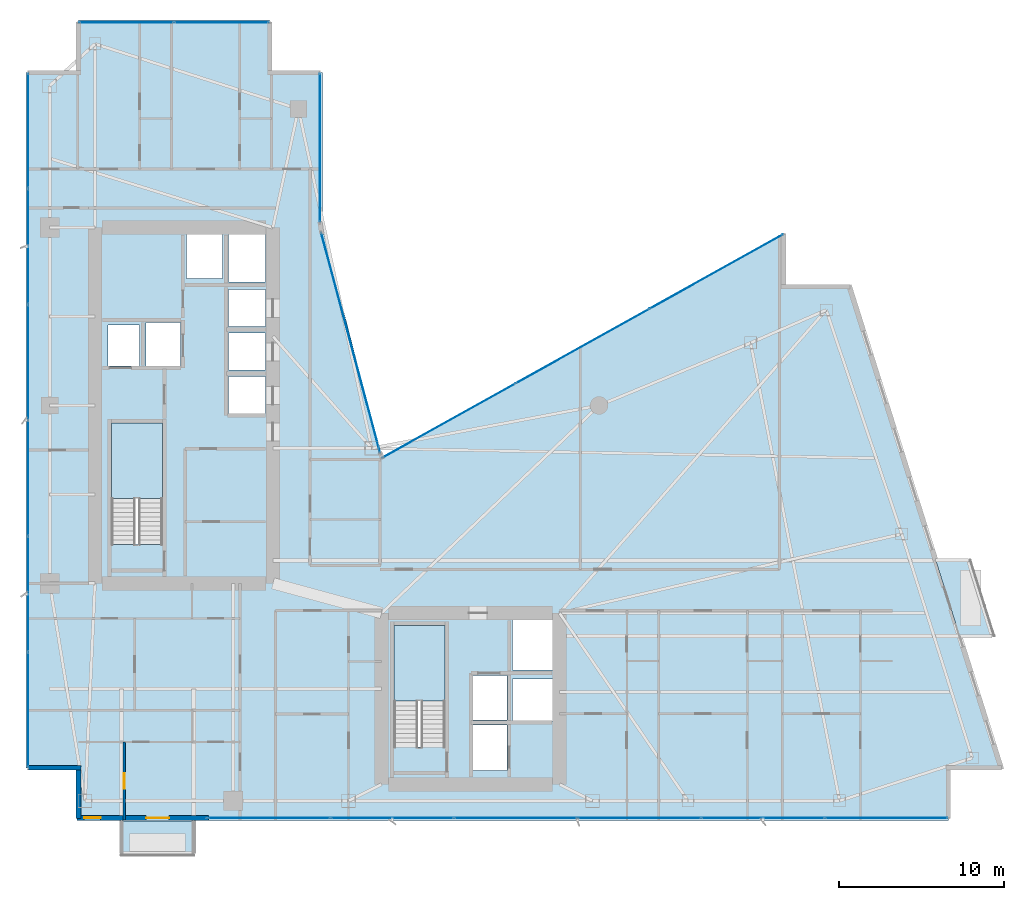
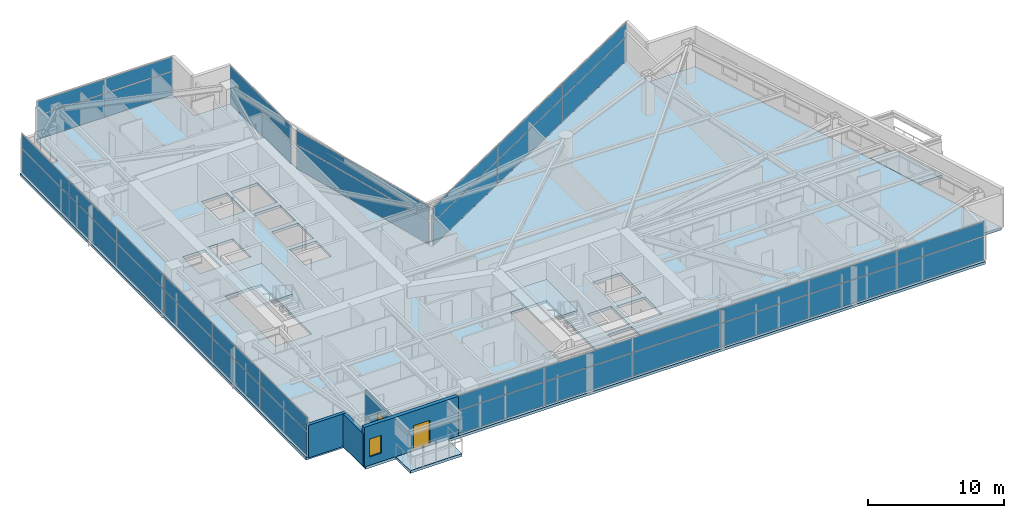
# One storey, part 21 of 28: 38 plates, 5 slabs, 4 walls, 2 doors, 1 window, 3 openings, 8 elements without a shape of their own.
"""IFC4 building model written with IfcOpenShell, lengths in metres."""

from ifc_helpers import new_model, si_unit, direction, frame, frame_2d, origin, origin_2d, place, context, subcontext, project, spatial, polyline, rectangle, outline, extrude, material, layer, layer_set, type_object, element, fill, aggregate, save


model = new_model("IFC4")

# Units and contexts
model_context = context("Model", 3, precision=1e-05, world=origin(), true_north=direction((0.0, 1.0)))
body_context = subcontext(model_context, "Body", "Model", "MODEL_VIEW")
ifc_project = project(units=[si_unit("LENGTHUNIT", "METRE"), si_unit("AREAUNIT", "SQUARE_METRE"), si_unit("VOLUMEUNIT", "CUBIC_METRE"), si_unit("PLANEANGLEUNIT", "RADIAN"), si_unit("MASSUNIT", "GRAM", prefix="KILO")], contexts=[model_context])

# Site, building, storey
site_placement = place(None, origin())
site = spatial("IfcSite", under=ifc_project, at=site_placement, CompositionType="ELEMENT")
building_placement = place(site_placement, origin())
building = spatial("IfcBuilding", under=site, at=building_placement, Name="Calvorn Quay Hotel", CompositionType="ELEMENT")
storey_placement = place(building_placement, frame((0.0, 0.0, 152.300048828125)))
storey = spatial("IfcBuildingStorey", under=building, at=storey_placement, Name="L37", CompositionType="ELEMENT", Elevation=152.300048828125)

# Curtain wall, plates
ifc_material_1 = material(Name="Pale Anodised Aluminium and Low-E Glass", Category="aluminium")
ifc_layer_1 = layer(ifc_material_1, 0.219970703125)
ifc_layer_set_1 = layer_set([ifc_layer_1], Name="CW-SYS-Z2")
curtain_wall_type = type_object("IfcCurtainWallType", Name="CW-SYS-Z2", PredefinedType="NOTDEFINED", material=ifc_layer_set_1)
curtain_wall_1_placement = place(storey_placement, origin())
curtain_wall_1 = element("IfcCurtainWall", 1, at=curtain_wall_1_placement, inside=storey, type_object=curtain_wall_type, Name="Tower West Curtain Wall (L37)", PredefinedType="NOTDEFINED")
ifc_material_2 = material(Name="Low-E Laminated Double Glazing", Category="glass")
ifc_layer_2 = layer(ifc_material_2, 0.028076171875)
ifc_layer_set_2 = layer_set([ifc_layer_2], Name="CW-SYS-Z2-PAN")
plate_type = type_object("IfcPlateType", Name="CW-SYS-Z2-PAN", PredefinedType="CURTAIN_PANEL", material=ifc_layer_set_2)
plate_1_placement = place(storey_placement, frame((0.14990234375, 9.131591796875, 0.06005859375), z_axis=(0.0, 0.0, 1.0), x_axis=(0.0, 1.0, 0.0)))
plate_1 = element("IfcPlate", 2, at=plate_1_placement, type_object=plate_type, Name="CW-L37-W panel 1.1", PredefinedType="CURTAIN_PANEL", context=body_context, shape_type="SweptSolid", body=[
    extrude(rectangle(XDim=6.943359375, YDim=0.028076171875, at=origin_2d()), origin(), (0.0, 0.0, 1.0), 2.110107421875),
])
plate_2_placement = place(storey_placement, frame((0.14990234375, 9.131591796875, 2.22998046875), z_axis=(0.0, 0.0, 1.0), x_axis=(0.0, 1.0, 0.0)))
plate_2 = element("IfcPlate", 3, at=plate_2_placement, type_object=plate_type, Name="CW-L37-W panel 1.2", PredefinedType="CURTAIN_PANEL", context=body_context, shape_type="SweptSolid", body=[
    extrude(rectangle(XDim=6.943359375, YDim=0.028076171875, at=origin_2d()), origin(), (0.0, 0.0, 1.0), 1.27001953125),
])
plate_3_placement = place(storey_placement, frame((0.14990234375, 16.14990234375, 0.06005859375), z_axis=(0.0, 0.0, 1.0), x_axis=(0.0, 1.0, 0.0)))
plate_3 = element("IfcPlate", 4, at=plate_3_placement, type_object=plate_type, Name="CW-L37-W panel 2.1", PredefinedType="CURTAIN_PANEL", context=body_context, shape_type="SweptSolid", body=[
    extrude(rectangle(XDim=6.973388671875, YDim=0.028076171875, at=origin_2d()), origin(), (0.0, 0.0, 1.0), 2.110107421875),
])
plate_4_placement = place(storey_placement, frame((0.14990234375, 16.14990234375, 2.22998046875), z_axis=(0.0, 0.0, 1.0), x_axis=(0.0, 1.0, 0.0)))
plate_4 = element("IfcPlate", 5, at=plate_4_placement, type_object=plate_type, Name="CW-L37-W panel 2.2", PredefinedType="CURTAIN_PANEL", context=body_context, shape_type="SweptSolid", body=[
    extrude(rectangle(XDim=6.973388671875, YDim=0.028076171875, at=origin_2d()), origin(), (0.0, 0.0, 1.0), 1.27001953125),
])
plate_5_placement = place(storey_placement, frame((0.14990234375, 23.183349609375, 0.06005859375), z_axis=(0.0, 0.0, 1.0), x_axis=(0.0, 1.0, 0.0)))
plate_5 = element("IfcPlate", 6, at=plate_5_placement, type_object=plate_type, Name="CW-L37-W panel 3.1", PredefinedType="CURTAIN_PANEL", context=body_context, shape_type="SweptSolid", body=[
    extrude(rectangle(XDim=6.973388671875, YDim=0.028076171875, at=origin_2d()), origin(), (0.0, 0.0, 1.0), 2.110107421875),
])
plate_6_placement = place(storey_placement, frame((0.14990234375, 23.183349609375, 2.22998046875), z_axis=(0.0, 0.0, 1.0), x_axis=(0.0, 1.0, 0.0)))
plate_6 = element("IfcPlate", 7, at=plate_6_placement, type_object=plate_type, Name="CW-L37-W panel 3.2", PredefinedType="CURTAIN_PANEL", context=body_context, shape_type="SweptSolid", body=[
    extrude(rectangle(XDim=6.973388671875, YDim=0.028076171875, at=origin_2d()), origin(), (0.0, 0.0, 1.0), 1.27001953125),
])
plate_7_placement = place(storey_placement, frame((0.14990234375, 30.216552734375, 0.06005859375), z_axis=(0.0, 0.0, 1.0), x_axis=(0.0, 1.0, 0.0)))
plate_7 = element("IfcPlate", 8, at=plate_7_placement, type_object=plate_type, Name="CW-L37-W panel 4.1", PredefinedType="CURTAIN_PANEL", context=body_context, shape_type="SweptSolid", body=[
    extrude(rectangle(XDim=6.973388671875, YDim=0.028076171875, at=origin_2d()), origin(), (0.0, 0.0, 1.0), 2.110107421875),
])
plate_8_placement = place(storey_placement, frame((0.14990234375, 30.216552734375, 2.22998046875), z_axis=(0.0, 0.0, 1.0), x_axis=(0.0, 1.0, 0.0)))
plate_8 = element("IfcPlate", 9, at=plate_8_placement, type_object=plate_type, Name="CW-L37-W panel 4.2", PredefinedType="CURTAIN_PANEL", context=body_context, shape_type="SweptSolid", body=[
    extrude(rectangle(XDim=6.973388671875, YDim=0.028076171875, at=origin_2d()), origin(), (0.0, 0.0, 1.0), 1.27001953125),
])
plate_9_placement = place(storey_placement, frame((0.14990234375, 37.25, 0.06005859375), z_axis=(0.0, 0.0, 1.0), x_axis=(0.0, 1.0, 0.0)))
plate_9 = element("IfcPlate", 10, at=plate_9_placement, type_object=plate_type, Name="CW-L37-W panel 5.1", PredefinedType="CURTAIN_PANEL", context=body_context, shape_type="SweptSolid", body=[
    extrude(rectangle(XDim=6.973388671875, YDim=0.028076171875, at=origin_2d()), origin(), (0.0, 0.0, 1.0), 2.110107421875),
])
plate_10_placement = place(storey_placement, frame((0.14990234375, 37.25, 2.22998046875), z_axis=(0.0, 0.0, 1.0), x_axis=(0.0, 1.0, 0.0)))
plate_10 = element("IfcPlate", 11, at=plate_10_placement, type_object=plate_type, Name="CW-L37-W panel 5.2", PredefinedType="CURTAIN_PANEL", context=body_context, shape_type="SweptSolid", body=[
    extrude(rectangle(XDim=6.973388671875, YDim=0.028076171875, at=origin_2d()), origin(), (0.0, 0.0, 1.0), 1.27001953125),
])
plate_11_placement = place(storey_placement, frame((0.14990234375, 44.268310546875, 0.06005859375), z_axis=(0.0, 0.0, 1.0), x_axis=(0.0, 1.0, 0.0)))
plate_11 = element("IfcPlate", 12, at=plate_11_placement, type_object=plate_type, Name="CW-L37-W panel 6.1", PredefinedType="CURTAIN_PANEL", context=body_context, shape_type="SweptSolid", body=[
    extrude(rectangle(XDim=6.943359375, YDim=0.028076171875, at=origin_2d()), origin(), (0.0, 0.0, 1.0), 2.110107421875),
])
plate_12_placement = place(storey_placement, frame((0.14990234375, 44.268310546875, 2.22998046875), z_axis=(0.0, 0.0, 1.0), x_axis=(0.0, 1.0, 0.0)))
plate_12 = element("IfcPlate", 13, at=plate_12_placement, type_object=plate_type, Name="CW-L37-W panel 6.2", PredefinedType="CURTAIN_PANEL", context=body_context, shape_type="SweptSolid", body=[
    extrude(rectangle(XDim=6.943359375, YDim=0.028076171875, at=origin_2d()), origin(), (0.0, 0.0, 1.0), 1.27001953125),
])
aggregate(curtain_wall_1, [plate_1, plate_2, plate_3, plate_4, plate_5, plate_6, plate_7, plate_8, plate_9, plate_10, plate_11, plate_12])

curtain_wall_2_placement = place(storey_placement, origin())
curtain_wall_2 = element("IfcCurtainWall", 14, at=curtain_wall_2_placement, inside=storey, type_object=curtain_wall_type, Name="Tower South Waterfront Curtain Wall (L37)", PredefinedType="NOTDEFINED")
plate_13_placement = place(storey_placement, frame((14.764892578125, 2.550048828125, 0.06005859375), z_axis=(0.0, 0.0, 1.0), x_axis=(1.0, 0.0, 0.0)))
plate_13 = element("IfcPlate", 15, at=plate_13_placement, type_object=plate_type, Name="CW-L37-S panel 1.1", PredefinedType="CURTAIN_PANEL", context=body_context, shape_type="SweptSolid", body=[
    extrude(rectangle(XDim=7.409912109375, YDim=0.028076171875, at=origin_2d()), origin(), (0.0, 0.0, 1.0), 2.110107421875),
])
plate_14_placement = place(storey_placement, frame((14.764892578125, 2.550048828125, 2.22998046875), z_axis=(0.0, 0.0, 1.0), x_axis=(1.0, 0.0, 0.0)))
plate_14 = element("IfcPlate", 16, at=plate_14_placement, type_object=plate_type, Name="CW-L37-S panel 1.2", PredefinedType="CURTAIN_PANEL", context=body_context, shape_type="SweptSolid", body=[
    extrude(rectangle(XDim=7.409912109375, YDim=0.028076171875, at=origin_2d()), origin(), (0.0, 0.0, 1.0), 1.27001953125),
])
plate_15_placement = place(storey_placement, frame((22.25, 2.550048828125, 0.06005859375), z_axis=(0.0, 0.0, 1.0), x_axis=(1.0, 0.0, 0.0)))
plate_15 = element("IfcPlate", 17, at=plate_15_placement, type_object=plate_type, Name="CW-L37-S panel 2.1", PredefinedType="CURTAIN_PANEL", context=body_context, shape_type="SweptSolid", body=[
    extrude(rectangle(XDim=7.43994140625, YDim=0.028076171875, at=origin_2d()), origin(), (0.0, 0.0, 1.0), 2.110107421875),
])
plate_16_placement = place(storey_placement, frame((22.25, 2.550048828125, 2.22998046875), z_axis=(0.0, 0.0, 1.0), x_axis=(1.0, 0.0, 0.0)))
plate_16 = element("IfcPlate", 18, at=plate_16_placement, type_object=plate_type, Name="CW-L37-S panel 2.2", PredefinedType="CURTAIN_PANEL", context=body_context, shape_type="SweptSolid", body=[
    extrude(rectangle(XDim=7.43994140625, YDim=0.028076171875, at=origin_2d()), origin(), (0.0, 0.0, 1.0), 1.27001953125),
])
plate_17_placement = place(storey_placement, frame((29.75, 2.550048828125, 0.06005859375), z_axis=(0.0, 0.0, 1.0), x_axis=(1.0, 0.0, 0.0)))
plate_17 = element("IfcPlate", 19, at=plate_17_placement, type_object=plate_type, Name="CW-L37-S panel 3.1", PredefinedType="CURTAIN_PANEL", context=body_context, shape_type="SweptSolid", body=[
    extrude(rectangle(XDim=7.43994140625, YDim=0.028076171875, at=origin_2d()), origin(), (0.0, 0.0, 1.0), 2.110107421875),
])
plate_18_placement = place(storey_placement, frame((29.75, 2.550048828125, 2.22998046875), z_axis=(0.0, 0.0, 1.0), x_axis=(1.0, 0.0, 0.0)))
plate_18 = element("IfcPlate", 20, at=plate_18_placement, type_object=plate_type, Name="CW-L37-S panel 3.2", PredefinedType="CURTAIN_PANEL", context=body_context, shape_type="SweptSolid", body=[
    extrude(rectangle(XDim=7.43994140625, YDim=0.028076171875, at=origin_2d()), origin(), (0.0, 0.0, 1.0), 1.27001953125),
])
plate_19_placement = place(storey_placement, frame((37.25, 2.550048828125, 0.06005859375), z_axis=(0.0, 0.0, 1.0), x_axis=(1.0, 0.0, 0.0)))
plate_19 = element("IfcPlate", 21, at=plate_19_placement, type_object=plate_type, Name="CW-L37-S panel 4.1", PredefinedType="CURTAIN_PANEL", context=body_context, shape_type="SweptSolid", body=[
    extrude(rectangle(XDim=7.43994140625, YDim=0.028076171875, at=origin_2d()), origin(), (0.0, 0.0, 1.0), 2.110107421875),
])
plate_20_placement = place(storey_placement, frame((37.25, 2.550048828125, 2.22998046875), z_axis=(0.0, 0.0, 1.0), x_axis=(1.0, 0.0, 0.0)))
plate_20 = element("IfcPlate", 22, at=plate_20_placement, type_object=plate_type, Name="CW-L37-S panel 4.2", PredefinedType="CURTAIN_PANEL", context=body_context, shape_type="SweptSolid", body=[
    extrude(rectangle(XDim=7.43994140625, YDim=0.028076171875, at=origin_2d()), origin(), (0.0, 0.0, 1.0), 1.27001953125),
])
plate_21_placement = place(storey_placement, frame((44.75, 2.550048828125, 0.06005859375), z_axis=(0.0, 0.0, 1.0), x_axis=(1.0, 0.0, 0.0)))
plate_21 = element("IfcPlate", 23, at=plate_21_placement, type_object=plate_type, Name="CW-L37-S panel 5.1", PredefinedType="CURTAIN_PANEL", context=body_context, shape_type="SweptSolid", body=[
    extrude(rectangle(XDim=7.43994140625, YDim=0.028076171875, at=origin_2d()), origin(), (0.0, 0.0, 1.0), 2.110107421875),
])
plate_22_placement = place(storey_placement, frame((44.75, 2.550048828125, 2.22998046875), z_axis=(0.0, 0.0, 1.0), x_axis=(1.0, 0.0, 0.0)))
plate_22 = element("IfcPlate", 24, at=plate_22_placement, type_object=plate_type, Name="CW-L37-S panel 5.2", PredefinedType="CURTAIN_PANEL", context=body_context, shape_type="SweptSolid", body=[
    extrude(rectangle(XDim=7.43994140625, YDim=0.028076171875, at=origin_2d()), origin(), (0.0, 0.0, 1.0), 1.27001953125),
])
plate_23_placement = place(storey_placement, frame((52.235107421875, 2.550048828125, 0.06005859375), z_axis=(0.0, 0.0, 1.0), x_axis=(1.0, 0.0, 0.0)))
plate_23 = element("IfcPlate", 25, at=plate_23_placement, type_object=plate_type, Name="CW-L37-S panel 6.1", PredefinedType="CURTAIN_PANEL", context=body_context, shape_type="SweptSolid", body=[
    extrude(rectangle(XDim=7.409912109375, YDim=0.028076171875, at=origin_2d()), origin(), (0.0, 0.0, 1.0), 2.110107421875),
])
plate_24_placement = place(storey_placement, frame((52.235107421875, 2.550048828125, 2.22998046875), z_axis=(0.0, 0.0, 1.0), x_axis=(1.0, 0.0, 0.0)))
plate_24 = element("IfcPlate", 26, at=plate_24_placement, type_object=plate_type, Name="CW-L37-S panel 6.2", PredefinedType="CURTAIN_PANEL", context=body_context, shape_type="SweptSolid", body=[
    extrude(rectangle(XDim=7.409912109375, YDim=0.028076171875, at=origin_2d()), origin(), (0.0, 0.0, 1.0), 1.27001953125),
])
aggregate(curtain_wall_2, [plate_13, plate_14, plate_15, plate_16, plate_17, plate_18, plate_19, plate_20, plate_21, plate_22, plate_23, plate_24])

curtain_wall_3_placement = place(storey_placement, origin())
curtain_wall_3 = element("IfcCurtainWall", 27, at=curtain_wall_3_placement, inside=storey, type_object=curtain_wall_type, Name="Inner Court Curtain Wall L37-NE1", PredefinedType="NOTDEFINED")
plate_25_placement = place(storey_placement, frame((41.920166015625, 35.72607421875, 0.06005859375), z_axis=(0.0, 0.0, 1.0), x_axis=(-0.873480989116, -0.486858256224, 0.0)))
plate_25 = element("IfcPlate", 28, at=plate_25_placement, type_object=plate_type, Name="CW-L37-NE1 panel 1.1", PredefinedType="CURTAIN_PANEL", context=body_context, shape_type="SweptSolid", body=[
    extrude(rectangle(XDim=9.221435546875, YDim=0.028076171875, at=origin_2d()), origin(), (0.0, 0.0, 1.0), 2.110107421875),
])
plate_26_placement = place(storey_placement, frame((41.920166015625, 35.72607421875, 2.22998046875), z_axis=(0.0, 0.0, 1.0), x_axis=(-0.873480989116, -0.486858256224, 0.0)))
plate_26 = element("IfcPlate", 29, at=plate_26_placement, type_object=plate_type, Name="CW-L37-NE1 panel 1.2", PredefinedType="CURTAIN_PANEL", context=body_context, shape_type="SweptSolid", body=[
    extrude(rectangle(XDim=9.221435546875, YDim=0.028076171875, at=origin_2d()), origin(), (0.0, 0.0, 1.0), 1.27001953125),
])
plate_27_placement = place(storey_placement, frame((33.800048828125, 31.199951171875, 0.06005859375), z_axis=(0.0, 0.0, 1.0), x_axis=(-0.873480989116, -0.486858256224, 0.0)))
plate_27 = element("IfcPlate", 30, at=plate_27_placement, type_object=plate_type, Name="CW-L37-NE1 panel 2.1", PredefinedType="CURTAIN_PANEL", context=body_context, shape_type="SweptSolid", body=[
    extrude(rectangle(XDim=9.25146484375, YDim=0.028076171875, at=origin_2d()), origin(), (0.0, 0.0, 1.0), 2.110107421875),
])
plate_28_placement = place(storey_placement, frame((33.800048828125, 31.199951171875, 2.22998046875), z_axis=(0.0, 0.0, 1.0), x_axis=(-0.873480989116, -0.486858256224, 0.0)))
plate_28 = element("IfcPlate", 31, at=plate_28_placement, type_object=plate_type, Name="CW-L37-NE1 panel 2.2", PredefinedType="CURTAIN_PANEL", context=body_context, shape_type="SweptSolid", body=[
    extrude(rectangle(XDim=9.25146484375, YDim=0.028076171875, at=origin_2d()), origin(), (0.0, 0.0, 1.0), 1.27001953125),
])
plate_29_placement = place(storey_placement, frame((25.6796875, 26.674072265625, 0.06005859375), z_axis=(0.0, 0.0, 1.0), x_axis=(-0.873480989116, -0.486858256224, 0.0)))
plate_29 = element("IfcPlate", 32, at=plate_29_placement, type_object=plate_type, Name="CW-L37-NE1 panel 3.1", PredefinedType="CURTAIN_PANEL", context=body_context, shape_type="SweptSolid", body=[
    extrude(rectangle(XDim=9.221435546875, YDim=0.028076171875, at=origin_2d()), origin(), (0.0, 0.0, 1.0), 2.110107421875),
])
plate_30_placement = place(storey_placement, frame((25.6796875, 26.674072265625, 2.22998046875), z_axis=(0.0, 0.0, 1.0), x_axis=(-0.873480989116, -0.486858256224, 0.0)))
plate_30 = element("IfcPlate", 33, at=plate_30_placement, type_object=plate_type, Name="CW-L37-NE1 panel 3.2", PredefinedType="CURTAIN_PANEL", context=body_context, shape_type="SweptSolid", body=[
    extrude(rectangle(XDim=9.221435546875, YDim=0.028076171875, at=origin_2d()), origin(), (0.0, 0.0, 1.0), 1.27001953125),
])
aggregate(curtain_wall_3, [plate_25, plate_26, plate_27, plate_28, plate_29, plate_30])

curtain_wall_4_placement = place(storey_placement, origin())
curtain_wall_4 = element("IfcCurtainWall", 34, at=curtain_wall_4_placement, inside=storey, type_object=curtain_wall_type, Name="Inner Court Curtain Wall L37-IC1", PredefinedType="NOTDEFINED")
plate_31_placement = place(storey_placement, frame((19.72509765625, 31.39990234375, 0.06005859375), z_axis=(0.0, 0.0, 1.0), x_axis=(-0.25877913024, 0.96593652056, 0.0)))
plate_31 = element("IfcPlate", 35, at=plate_31_placement, type_object=plate_type, Name="CW-L37-IC1 panel 1.1", PredefinedType="CURTAIN_PANEL", context=body_context, shape_type="SweptSolid", body=[
    extrude(rectangle(XDim=13.814697265625, YDim=0.028076171875, at=origin_2d()), origin(), (0.0, 0.0, 1.0), 2.110107421875),
])
plate_32_placement = place(storey_placement, frame((19.72509765625, 31.39990234375, 2.22998046875), z_axis=(0.0, 0.0, 1.0), x_axis=(-0.25877913024, 0.96593652056, 0.0)))
plate_32 = element("IfcPlate", 36, at=plate_32_placement, type_object=plate_type, Name="CW-L37-IC1 panel 1.2", PredefinedType="CURTAIN_PANEL", context=body_context, shape_type="SweptSolid", body=[
    extrude(rectangle(XDim=13.814697265625, YDim=0.028076171875, at=origin_2d()), origin(), (0.0, 0.0, 1.0), 1.27001953125),
])
aggregate(curtain_wall_4, [plate_31, plate_32])

curtain_wall_5_placement = place(storey_placement, origin())
curtain_wall_5 = element("IfcCurtainWall", 37, at=curtain_wall_5_placement, inside=storey, type_object=curtain_wall_type, Name="Inner Court Curtain Wall L37-IC2", PredefinedType="NOTDEFINED")
plate_33_placement = place(storey_placement, frame((17.85009765625, 43.239990234375, 0.06005859375), z_axis=(0.0, 0.0, 1.0), x_axis=(0.0, 1.0, 0.0)))
plate_33 = element("IfcPlate", 38, at=plate_33_placement, type_object=plate_type, Name="CW-L37-IC2 panel 1.1", PredefinedType="CURTAIN_PANEL", context=body_context, shape_type="SweptSolid", body=[
    extrude(rectangle(XDim=9.0, YDim=0.028076171875, at=origin_2d()), origin(), (0.0, 0.0, 1.0), 2.110107421875),
])
plate_34_placement = place(storey_placement, frame((17.85009765625, 43.239990234375, 2.22998046875), z_axis=(0.0, 0.0, 1.0), x_axis=(0.0, 1.0, 0.0)))
plate_34 = element("IfcPlate", 39, at=plate_34_placement, type_object=plate_type, Name="CW-L37-IC2 panel 1.2", PredefinedType="CURTAIN_PANEL", context=body_context, shape_type="SweptSolid", body=[
    extrude(rectangle(XDim=9.0, YDim=0.028076171875, at=origin_2d()), origin(), (0.0, 0.0, 1.0), 1.27001953125),
])
aggregate(curtain_wall_5, [plate_33, plate_34])

curtain_wall_6_placement = place(storey_placement, origin())
curtain_wall_6 = element("IfcCurtainWall", 40, at=curtain_wall_6_placement, inside=storey, type_object=curtain_wall_type, Name="Inner Court Curtain Wall L37-N1", PredefinedType="NOTDEFINED")
plate_35_placement = place(storey_placement, frame((11.885009765625, 50.85009765625, 0.06005859375), z_axis=(0.0, 0.0, 1.0), x_axis=(-1.0, 0.0, 0.0)))
plate_35 = element("IfcPlate", 41, at=plate_35_placement, type_object=plate_type, Name="CW-L37-N1 panel 1.1", PredefinedType="CURTAIN_PANEL", context=body_context, shape_type="SweptSolid", body=[
    extrude(rectangle(XDim=5.7099609375, YDim=0.028076171875, at=origin_2d()), origin(), (0.0, 0.0, 1.0), 2.110107421875),
])
plate_36_placement = place(storey_placement, frame((11.885009765625, 50.85009765625, 2.22998046875), z_axis=(0.0, 0.0, 1.0), x_axis=(-1.0, 0.0, 0.0)))
plate_36 = element("IfcPlate", 42, at=plate_36_placement, type_object=plate_type, Name="CW-L37-N1 panel 1.2", PredefinedType="CURTAIN_PANEL", context=body_context, shape_type="SweptSolid", body=[
    extrude(rectangle(XDim=5.7099609375, YDim=0.028076171875, at=origin_2d()), origin(), (0.0, 0.0, 1.0), 1.27001953125),
])
plate_37_placement = place(storey_placement, frame((6.114990234375, 50.85009765625, 0.06005859375), z_axis=(0.0, 0.0, 1.0), x_axis=(-1.0, 0.0, 0.0)))
plate_37 = element("IfcPlate", 43, at=plate_37_placement, type_object=plate_type, Name="CW-L37-N1 panel 2.1", PredefinedType="CURTAIN_PANEL", context=body_context, shape_type="SweptSolid", body=[
    extrude(rectangle(XDim=5.7099609375, YDim=0.028076171875, at=origin_2d()), origin(), (0.0, 0.0, 1.0), 2.110107421875),
])
plate_38_placement = place(storey_placement, frame((6.114990234375, 50.85009765625, 2.22998046875), z_axis=(0.0, 0.0, 1.0), x_axis=(-1.0, 0.0, 0.0)))
plate_38 = element("IfcPlate", 44, at=plate_38_placement, type_object=plate_type, Name="CW-L37-N1 panel 2.2", PredefinedType="CURTAIN_PANEL", context=body_context, shape_type="SweptSolid", body=[
    extrude(rectangle(XDim=5.7099609375, YDim=0.028076171875, at=origin_2d()), origin(), (0.0, 0.0, 1.0), 1.27001953125),
])
aggregate(curtain_wall_6, [plate_35, plate_36, plate_37, plate_38])

# Slabs
ifc_material_3 = material(Name="Concrete C40", Category="concrete")
ifc_layer_3 = layer(ifc_material_3, 0.239990234375)
ifc_layer_set_3 = layer_set([ifc_layer_3], Name="SLB-BALCONY-220")
slab_type_1 = type_object("IfcSlabType", Name="SLB-BALCONY-220", PredefinedType="FLOOR", material=ifc_layer_set_3)
slab_1_placement = place(storey_placement, frame((0.0, 0.0, -0.239990234375)))
element("IfcSlab", 45, at=slab_1_placement, inside=storey, type_object=slab_type_1, Name="Tree Balcony Slab L37-BALC-E", PredefinedType="FLOOR", context=body_context, shape_type="SweptSolid", body=[
    extrude(outline(polyline([(56.68896484375, 13.60009765625), (58.7890625, 13.60009765625), (57.340087890625, 18.199951171875), (55.239990234375, 18.199951171875), (56.68896484375, 13.60009765625)])), origin(), (0.0, 0.0, 1.0), 0.239990234375),
])
slab_2_placement = place(storey_placement, frame((0.0, 0.0, -0.239990234375)))
element("IfcSlab", 46, at=slab_2_placement, inside=storey, type_object=slab_type_1, Name="Tree Balcony Slab L37-BALC-S", PredefinedType="FLOOR", context=body_context, shape_type="SweptSolid", body=[
    extrude(outline(polyline([(5.800048828125, 0.2900390625), (10.199951171875, 0.2900390625), (10.199951171875, 2.389892578125), (5.800048828125, 2.389892578125), (5.800048828125, 0.2900390625)])), origin(), (0.0, 0.0, 1.0), 0.239990234375),
])

# Stair, slab
ifc_material_4 = material(Name="Concrete C40", Category="concrete")
stair_type = type_object("IfcStairType", Name="STR-CORE-DOGLEG", PredefinedType="HALF_TURN_STAIR", material=ifc_material_4)
stair_1_placement = place(storey_placement, origin())
stair_1 = element("IfcStair", 47, at=stair_1_placement, inside=storey, type_object=stair_type, Name="L37 ST-W", PredefinedType="HALF_TURN_STAIR")
ifc_material_5 = material(Name="Concrete C40", Category="concrete")
ifc_layer_4 = layer(ifc_material_5, 0.199951171875)
ifc_layer_set_4 = layer_set([ifc_layer_4], Name="SLB-STAIR-LANDING-200")
slab_type_2 = type_object("IfcSlabType", Name="SLB-STAIR-LANDING-200", PredefinedType="LANDING", material=ifc_layer_set_4)
slab_3_placement = place(storey_placement, frame((0.0, 0.0, 1.699951171875)))
slab_3 = element("IfcSlab", 48, at=slab_3_placement, type_object=slab_type_2, Name="ST-W landing 1", PredefinedType="LANDING", context=body_context, shape_type="SweptSolid", body=[
    extrude(outline(polyline([(8.300048828125, 21.949951171875), (8.300048828125, 26.550048828125), (5.199951171875, 26.550048828125), (5.199951171875, 21.949951171875), (8.300048828125, 21.949951171875)])), origin(), (0.0, 0.0, 1.0), 0.199951171875),
])
aggregate(stair_1, [slab_3])

stair_2_placement = place(storey_placement, origin())
stair_2 = element("IfcStair", 49, at=stair_2_placement, inside=storey, type_object=stair_type, Name="L37 ST-E", PredefinedType="HALF_TURN_STAIR")
slab_4_placement = place(storey_placement, frame((0.0, 0.0, 1.699951171875)))
slab_4 = element("IfcSlab", 50, at=slab_4_placement, type_object=slab_type_2, Name="ST-E landing 1", PredefinedType="LANDING", context=body_context, shape_type="SweptSolid", body=[
    extrude(outline(polyline([(25.449951171875, 9.64990234375), (25.449951171875, 14.25), (22.35009765625, 14.25), (22.35009765625, 9.64990234375), (25.449951171875, 9.64990234375)])), origin(), (0.0, 0.0, 1.0), 0.199951171875),
])
aggregate(stair_2, [slab_4])

# Slab
ifc_material_6 = material(Name="Concrete C40", Category="concrete")
ifc_layer_5 = layer(ifc_material_6, 0.239990234375)
ifc_layer_set_5 = layer_set([ifc_layer_5], Name="SLB-TOWER-240")
slab_type_3 = type_object("IfcSlabType", Name="SLB-TOWER-240", PredefinedType="FLOOR", material=ifc_layer_set_5)
slab_5_placement = place(storey_placement, frame((0.0, 0.0, -0.239990234375)))
element("IfcSlab", 51, at=slab_5_placement, inside=storey, type_object=slab_type_3, Name="L37 Structural Floor Slab", PredefinedType="FLOOR", context=body_context, shape_type="SweptSolid", body=[
    extrude(outline(polyline([(0.0, 5.60009765625), (3.199951171875, 5.60009765625), (3.199951171875, 2.39990234375), (56.0, 2.39990234375), (56.0, 5.60009765625), (59.199951171875, 5.60009765625), (50.0, 34.800048828125), (46.0, 34.800048828125), (46.0, 38.0), (21.60009765625, 24.39990234375), (18.0, 38.39990234375), (18.0, 47.800048828125), (14.800048828125, 47.800048828125), (14.800048828125, 51.0), (3.199951171875, 51.0), (3.199951171875, 47.800048828125), (0.0, 47.800048828125), (0.0, 5.60009765625)]), holes=[polyline([(5.199951171875, 19.156005859375), (8.300048828125, 19.156005859375), (8.300048828125, 26.550048828125), (5.199951171875, 26.550048828125), (5.199951171875, 19.156005859375)]), polyline([(22.35009765625, 6.85595703125), (25.449951171875, 6.85595703125), (25.449951171875, 14.25), (22.35009765625, 14.25), (22.35009765625, 6.85595703125)]), polyline([(5.0, 30.0), (6.89990234375, 30.0), (6.89990234375, 32.5), (5.0, 32.5), (5.0, 30.0)]), polyline([(7.300048828125, 30.0), (9.39990234375, 30.0), (9.39990234375, 32.64990234375), (7.300048828125, 32.64990234375), (7.300048828125, 30.0)]), polyline([(27.159912109375, 8.5), (29.2099609375, 8.5), (29.2099609375, 11.199951171875), (27.159912109375, 11.199951171875), (27.159912109375, 8.5)]), polyline([(27.159912109375, 5.449951171875), (29.2099609375, 5.449951171875), (29.2099609375, 8.199951171875), (27.159912109375, 8.199951171875), (27.159912109375, 5.449951171875)]), polyline([(12.300048828125, 27.10009765625), (14.56494140625, 27.10009765625), (14.56494140625, 29.35009765625), (12.300048828125, 29.35009765625), (12.300048828125, 27.10009765625)]), polyline([(12.300048828125, 29.75), (14.56494140625, 29.75), (14.56494140625, 32.0), (12.300048828125, 32.0), (12.300048828125, 29.75)]), polyline([(12.300048828125, 32.39990234375), (14.56494140625, 32.39990234375), (14.56494140625, 34.64990234375), (12.300048828125, 34.64990234375), (12.300048828125, 32.39990234375)]), polyline([(12.300048828125, 35.10009765625), (14.56494140625, 35.10009765625), (14.56494140625, 37.965087890625), (12.300048828125, 37.965087890625), (12.300048828125, 35.10009765625)]), polyline([(9.75, 35.300048828125), (11.949951171875, 35.300048828125), (11.949951171875, 37.965087890625), (9.75, 37.965087890625), (9.75, 35.300048828125)]), polyline([(29.550048828125, 11.550048828125), (31.965087890625, 11.550048828125), (31.965087890625, 14.56494140625), (29.550048828125, 14.56494140625), (29.550048828125, 11.550048828125)]), polyline([(29.550048828125, 8.449951171875), (31.965087890625, 8.449951171875), (31.965087890625, 11.0), (29.550048828125, 11.0), (29.550048828125, 8.449951171875)])]), origin(), (0.0, 0.0, 1.0), 0.239990234375),
])

# Wall, openings, door, window
ifc_material_7 = material(Name="Concrete C40", Category="concrete")
ifc_layer_6 = layer(ifc_material_7, 0.320068359375)
ifc_layer_set_6 = layer_set([ifc_layer_6], Name="WL-EXT-SPANDREL-320")
wall_type_1 = type_object("IfcWallType", Name="WL-EXT-SPANDREL-320", PredefinedType="SOLIDWALL", material=ifc_layer_set_6)
wall_1_placement = place(storey_placement, frame((3.10009765625, 2.56005859375, 0.0), z_axis=(0.0, 0.0, 1.0), x_axis=(1.0, 0.0, 0.0)))
wall_1 = element("IfcWall", 52, at=wall_1_placement, inside=storey, type_object=wall_type_1, Name="South Balcony Exterior Wall (L37)", PredefinedType="SOLIDWALL", context=body_context, shape_type="SweptSolid", body=[
    extrude(rectangle(XDim=8.0, YDim=0.320068359375, at=frame_2d((4.0, 0.0))), origin(), (0.0, 0.0, 1.0), 3.56005859375),
])
opening_1_placement = place(wall_1_placement, frame((0.449951171875, 0.0, 0.75)))
opening_1 = element("IfcOpeningElement", 53, at=opening_1_placement, cuts=wall_1, Name="Opening WSB-L37-1", PredefinedType="OPENING", context=body_context, shape_type="SweptSolid", body=[
    extrude(rectangle(XDim=1.0, YDim=1.60009765625, at=frame_2d((0.5, 0.800048828125))), frame((0.0, 0.169921875, 0.0), z_axis=(0.0, -1.0, 0.0), x_axis=(1.0, 0.0, 0.0)), (0.0, 0.0, 1.0), 0.340087890625),
])
opening_2_placement = place(wall_1_placement, frame((4.199951171875, 0.0, 0.0)))
opening_2 = element("IfcOpeningElement", 54, at=opening_2_placement, cuts=wall_1, Name="Opening DB-L37-2", PredefinedType="OPENING", context=body_context, shape_type="SweptSolid", body=[
    extrude(rectangle(XDim=1.39990234375, YDim=2.25, at=frame_2d((0.699951171875, 1.125))), frame((0.0, 0.169921875, 0.0), z_axis=(0.0, -1.0, 0.0), x_axis=(1.0, 0.0, 0.0)), (0.0, 0.0, 1.0), 0.340087890625),
])
ifc_material_8 = material(Name="Typhoon-Rated Low-E Aluminium Terrace Door", Category="aluminium")
door_type_1 = type_object("IfcDoorType", Name="DR-BALCONY-GLZ-1400", OperationType="NOTDEFINED", PredefinedType="DOOR", material=ifc_material_8)
door_1_placement = place(opening_2_placement, origin())
door_1 = element("IfcDoor", 55, at=door_1_placement, inside=storey, type_object=door_type_1, Name="Tree Balcony Terrace Door L37-BALC-S", OperationType="SINGLE_SWING_LEFT", OverallHeight=2.25, OverallWidth=1.39990234375, PredefinedType="DOOR", context=body_context, shape_type="SweptSolid", body=[
    extrude(rectangle(XDim=1.39990234375, YDim=2.25, at=frame_2d((0.699951171875, 1.125))), frame((0.0, 0.02490234375, 0.0), z_axis=(0.0, -1.0, 0.0), x_axis=(1.0, 0.0, 0.0)), (0.0, 0.0, 1.0), 0.050048828125),
])
fill(opening_2, door_1)
ifc_material_9 = material(Name="Self-Closing Class B Side Fire Window")
window_type = type_object("IfcWindowType", Name="WIN-REFUGE-NARROW-1000x1600", PartitioningType="SINGLE_PANEL", PredefinedType="WINDOW", material=ifc_material_9)
window_placement = place(opening_1_placement, origin())
window = element("IfcWindow", 56, at=window_placement, inside=storey, type_object=window_type, Name="South Waterfront Side Window (L37)", OverallHeight=1.60009765625, OverallWidth=1.0, PartitioningType="SINGLE_PANEL", PredefinedType="WINDOW", context=body_context, shape_type="SweptSolid", body=[
    extrude(rectangle(XDim=1.0, YDim=1.60009765625, at=frame_2d((0.5, 0.800048828125))), frame((0.0, 0.030029296875, 0.0), z_axis=(0.0, -1.0, 0.0), x_axis=(1.0, 0.0, 0.0)), (0.0, 0.0, 1.0), 0.06005859375),
])
fill(opening_1, window)

# Walls
wall_2_placement = place(storey_placement, frame((0.1201171875, 5.60009765625, 0.0), z_axis=(0.0, 0.0, 1.0), x_axis=(1.0, 0.0, 0.0)))
element("IfcWall", 57, at=wall_2_placement, inside=storey, type_object=wall_type_1, Name="Notched Corner Spandrel L37-SW1", PredefinedType="SOLIDWALL", context=body_context, shape_type="SweptSolid", body=[
    extrude(rectangle(XDim=3.219970703125, YDim=0.280029296875, at=frame_2d((1.60986328125, 0.0))), origin(), (0.0, 0.0, 1.0), 2.93994140625),
])
wall_3_placement = place(storey_placement, frame((3.199951171875, 5.4599609375, 0.0), z_axis=(0.0, 0.0, 1.0), x_axis=(0.0, -1.0, 0.0)))
element("IfcWall", 58, at=wall_3_placement, inside=storey, type_object=wall_type_1, Name="Notched Corner Spandrel L37-SW2", PredefinedType="SOLIDWALL", context=body_context, shape_type="SweptSolid", body=[
    extrude(rectangle(XDim=2.93994140625, YDim=0.280029296875, at=frame_2d((1.469970703125, 0.0))), origin(), (0.0, 0.0, 1.0), 2.93994140625),
])

# Wall, opening, door
ifc_material_10 = material(Name="Double-Stud Acoustic Gypsum Partition")
ifc_layer_7 = layer(ifc_material_10, 0.159912109375)
ifc_layer_set_7 = layer_set([ifc_layer_7], Name="WL-INTERSUITE-160")
wall_type_2 = type_object("IfcWallType", Name="WL-INTERSUITE-160", PredefinedType="PARTITIONING", material=ifc_layer_set_7)
wall_4_placement = place(storey_placement, frame((5.97998046875, 2.43994140625, 0.0), z_axis=(0.0, 0.0, 1.0), x_axis=(0.0, 1.0, 0.0)))
wall_4 = element("IfcWall", 59, at=wall_4_placement, inside=storey, type_object=wall_type_2, Name="Partition Wall L37-WL-U01-MSP", PredefinedType="PARTITIONING", context=body_context, shape_type="SweptSolid", body=[
    extrude(rectangle(XDim=4.72998046875, YDim=0.159912109375, at=frame_2d((2.364990234375, 0.0))), origin(), (0.0, 0.0, 1.0), 3.0400390625),
])
opening_3_placement = place(wall_4_placement, frame((1.889892578125, 0.0, 0.0)))
opening_3 = element("IfcOpeningElement", 60, at=opening_3_placement, cuts=wall_4, Name="Opening D-L37-M01", PredefinedType="OPENING", context=body_context, shape_type="SweptSolid", body=[
    extrude(rectangle(XDim=0.9599609375, YDim=2.199951171875, at=frame_2d((0.47998046875, 1.10009765625))), frame((0.0, 0.08984375, 0.0), z_axis=(0.0, -1.0, 0.0), x_axis=(1.0, 0.0, 0.0)), (0.0, 0.0, 1.0), 0.179931640625),
])
ifc_material_11 = material(Name="Solid Timber Internal Suite Door", Category="wood")
door_type_2 = type_object("IfcDoorType", Name="DR-SUITE-INT-960", OperationType="NOTDEFINED", PredefinedType="DOOR", material=ifc_material_11)
door_2_placement = place(opening_3_placement, origin())
door_2 = element("IfcDoor", 61, at=door_2_placement, inside=storey, type_object=door_type_2, Name="Suite Bedroom Door 01", OperationType="SINGLE_SWING_LEFT", OverallHeight=2.199951171875, OverallWidth=0.9599609375, PredefinedType="DOOR", context=body_context, shape_type="SweptSolid", body=[
    extrude(rectangle(XDim=0.9599609375, YDim=2.199951171875, at=frame_2d((0.47998046875, 1.10009765625))), frame((0.0, 0.02490234375, 0.0), z_axis=(0.0, -1.0, 0.0), x_axis=(1.0, 0.0, 0.0)), (0.0, 0.0, 1.0), 0.050048828125),
])
fill(opening_3, door_2)

save(model, "model.ifc")
